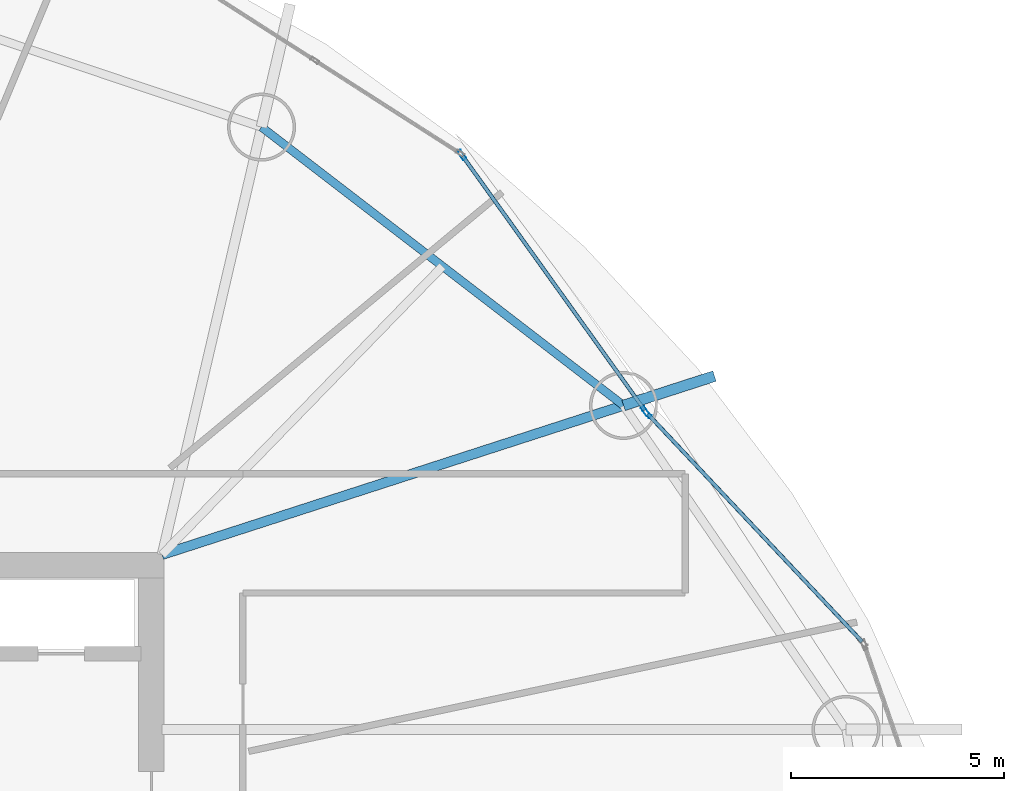
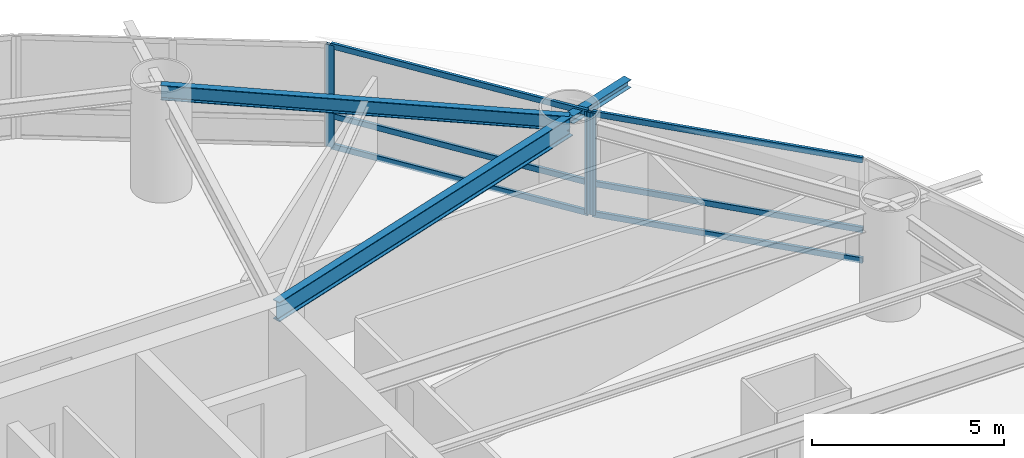
# One storey, part 17 of 27: 9 members, 3 beams, 2 elements without a shape of their own.
"""IFC4 building model written with IfcOpenShell, lengths in metres."""

from ifc_helpers import new_model, si_unit, direction, frame, origin, origin_2d, place, context, subcontext, project, spatial, hollow_rectangle, i_section, extrude, material, layer, layer_set, material_profile, profile_set, type_object, element, aggregate, save


model = new_model("IFC4")

# Units and contexts
model_context = context("Model", 3, precision=1e-05, world=origin(), true_north=direction((0.0, 1.0)))
body_context = subcontext(model_context, "Body", "Model", "MODEL_VIEW")
ifc_project = project(units=[si_unit("LENGTHUNIT", "METRE"), si_unit("AREAUNIT", "SQUARE_METRE"), si_unit("VOLUMEUNIT", "CUBIC_METRE"), si_unit("PLANEANGLEUNIT", "RADIAN"), si_unit("MASSUNIT", "GRAM", prefix="KILO")], contexts=[model_context])

# Site, building, storey
site_placement = place(None, origin())
site = spatial("IfcSite", under=ifc_project, at=site_placement, CompositionType="ELEMENT")
building_placement = place(site_placement, origin())
building = spatial("IfcBuilding", under=site, at=building_placement, Name="Bramvorn Convention Spire", CompositionType="ELEMENT")
storey_placement = place(building_placement, frame((0.0, 0.0, 79.89990234375)))
storey = spatial("IfcBuildingStorey", under=building, at=storey_placement, Name="L18", CompositionType="ELEMENT", Elevation=79.89990234375)

# Beams
ifc_material_1 = material(Name="Steel CSA G40.21 Grade 350 (350W)", Category="steel")
ifc_material_profile_1 = material_profile(ifc_material_1, i_section(OverallWidth=0.25390625, OverallDepth=0.2529296875, WebThickness=0.008544921875, FlangeThickness=0.01416015625, FilletRadius=0.011962890625, at=origin_2d()))
ifc_profile_set_1 = profile_set([ifc_material_profile_1], Name="Steel CSA G40.21 Grade 350 (350W) - W250X73")
beam_type_1 = type_object("IfcBeamType", Name="BM-W250X73", PredefinedType="BEAM", material=ifc_profile_set_1)
beam_1_placement = place(storey_placement, frame((60.105224609375, 36.960205078125, 3.12353515625), z_axis=(0.951489397921, 0.307681532828, 0.0), x_axis=(-0.307681532828, 0.951489397921, 0.0)))
element("IfcBeam", 1, at=beam_1_placement, inside=storey, type_object=beam_type_1, Name="L18 slab-edge cantilever tip beam MC03", PredefinedType="BEAM", context=body_context, shape_type="SweptSolid", body=[
    extrude(i_section(OverallWidth=0.25390625, OverallDepth=0.2529296875, WebThickness=0.008544921875, FlangeThickness=0.01416015625, FilletRadius=0.011962890625, at=origin_2d()), origin(), (0.0, 0.0, 1.0), 2.248779296875),
])
ifc_material_profile_2 = material_profile(ifc_material_1, i_section(OverallWidth=0.194091796875, OverallDepth=0.468994140625, WebThickness=0.0126953125, FlangeThickness=0.0205078125, FilletRadius=0.01806640625, at=origin_2d()))
ifc_profile_set_2 = profile_set([ifc_material_profile_2], Name="Steel CSA G40.21 Grade 350 (350W) - W460X106")
beam_type_2 = type_object("IfcBeamType", Name="BM-W460X106", PredefinedType="SPANDREL", material=ifc_profile_set_2)
beam_2_placement = place(storey_placement, frame((60.105224609375, 36.960205078125, 3.015625), z_axis=(-0.792672990445, 0.609647053809, 0.0), x_axis=(-0.609647053809, -0.792672990445, 0.0)))
element("IfcBeam", 2, at=beam_2_placement, inside=storey, type_object=beam_type_2, Name="L18 mega-column ring beam 03", PredefinedType="SPANDREL", context=body_context, shape_type="SweptSolid", body=[
    extrude(i_section(OverallWidth=0.194091796875, OverallDepth=0.468994140625, WebThickness=0.0126953125, FlangeThickness=0.0205078125, FilletRadius=0.01806640625, at=origin_2d()), origin(), (0.0, 0.0, 1.0), 10.741943359375),
])
ifc_material_profile_3 = material_profile(ifc_material_1, i_section(OverallWidth=0.22998046875, OverallDepth=0.616943359375, WebThickness=0.01318359375, FlangeThickness=0.022216796875, FilletRadius=0.02001953125, at=origin_2d()))
ifc_profile_set_3 = profile_set([ifc_material_profile_3], Name="Steel CSA G40.21 Grade 350 (350W) - W610X140")
beam_type_3 = type_object("IfcBeamType", Name="BM-W610X140", PredefinedType="BEAM", material=ifc_profile_set_3)
beam_3_placement = place(storey_placement, frame((49.25, 33.449951171875, 2.941650390625), z_axis=(0.951488933275, 0.307682969719, 0.0), x_axis=(-0.307682969719, 0.951488933275, 0.0)))
element("IfcBeam", 3, at=beam_3_placement, inside=storey, type_object=beam_type_3, Name="L18 radial floor girder MC03", PredefinedType="BEAM", context=body_context, shape_type="SweptSolid", body=[
    extrude(i_section(OverallWidth=0.22998046875, OverallDepth=0.616943359375, WebThickness=0.01318359375, FlangeThickness=0.022216796875, FilletRadius=0.02001953125, at=origin_2d()), origin(), (0.0, 0.0, 1.0), 11.40869140625),
])

# Curtain wall, member
ifc_material_2 = material(Name="Anodised Bronze Unitised Curtain Wall", Category="aluminium")
ifc_layer = layer(ifc_material_2, 0.219970703125)
ifc_layer_set = layer_set([ifc_layer], Name="Anodised Bronze Unitised Curtain Wall - CW-SKYGARDEN")
curtain_wall_type = type_object("IfcCurtainWallType", Name="CW-SKYGARDEN", PredefinedType="USERDEFINED", material=ifc_layer_set)
curtain_wall_1_placement = place(storey_placement, origin())
curtain_wall_1 = element("IfcCurtainWall", 4, at=curtain_wall_1_placement, inside=storey, type_object=curtain_wall_type, Name="L18 Sky Garden glazed facade 03", ObjectType="WINTER GARDEN GLAZING", PredefinedType="USERDEFINED")
ifc_material_3 = material(Name="Anodised Bronze Aluminium 6063-T6", Category="aluminium")
ifc_material_profile_4 = material_profile(ifc_material_3, hollow_rectangle(XDim=0.090087890625, YDim=0.239990234375, WallThickness=0.00439453125, InnerFilletRadius=0.0009765625, OuterFilletRadius=0.00439453125, at=origin_2d()))
ifc_profile_set_4 = profile_set([ifc_material_profile_4], Name="Anodised Bronze Aluminium 6063-T6 - CWM90X240")
member_type_1 = type_object("IfcMemberType", Name="CW-MUL-220", PredefinedType="MULLION", material=ifc_profile_set_4)
member_1_placement = place(storey_placement, frame((60.656494140625, 36.779541015625, 0.0), z_axis=(0.0, 0.0, 1.0), x_axis=(0.728141435771, 0.68542691041, 0.0)))
member_1 = element("IfcMember", 5, at=member_1_placement, type_object=member_type_1, Name="CW4 mullion 1", PredefinedType="MULLION", context=body_context, shape_type="SweptSolid", body=[
    extrude(hollow_rectangle(XDim=0.090087890625, YDim=0.239990234375, WallThickness=0.00439453125, InnerFilletRadius=0.0009765625, OuterFilletRadius=0.00439453125, at=origin_2d()), origin(), (0.0, 0.0, 1.0), 3.25),
])

# Curtain wall, members
curtain_wall_2_placement = place(storey_placement, origin())
curtain_wall_2 = element("IfcCurtainWall", 6, at=curtain_wall_2_placement, inside=storey, type_object=curtain_wall_type, Name="L18 Sky Garden glazed facade 04", ObjectType="WINTER GARDEN GLAZING", PredefinedType="USERDEFINED")
member_2_placement = place(storey_placement, frame((56.3037109375, 42.85107421875, 0.0), z_axis=(0.0, 0.0, 1.0), x_axis=(0.813023794298, 0.582230461162, 0.0)))
member_2 = element("IfcMember", 7, at=member_2_placement, type_object=member_type_1, Name="CW4 mullion 1", PredefinedType="MULLION", context=body_context, shape_type="SweptSolid", body=[
    extrude(hollow_rectangle(XDim=0.090087890625, YDim=0.239990234375, WallThickness=0.00439453125, InnerFilletRadius=0.0009765625, OuterFilletRadius=0.00439453125, at=origin_2d()), origin(), (0.0, 0.0, 1.0), 3.25),
])
member_3_placement = place(storey_placement, frame((60.61865234375, 36.825927734375, 0.0), z_axis=(0.0, 0.0, 1.0), x_axis=(0.813023794298, 0.582230461162, 0.0)))
member_3 = element("IfcMember", 8, at=member_3_placement, type_object=member_type_1, Name="CW4 mullion 2", PredefinedType="MULLION", context=body_context, shape_type="SweptSolid", body=[
    extrude(hollow_rectangle(XDim=0.090087890625, YDim=0.239990234375, WallThickness=0.00439453125, InnerFilletRadius=0.0009765625, OuterFilletRadius=0.00439453125, at=origin_2d()), origin(), (0.0, 0.0, 1.0), 3.25),
])

# Member
ifc_material_profile_5 = material_profile(ifc_material_3, hollow_rectangle(XDim=0.090087890625, YDim=0.179931640625, WallThickness=0.00439453125, InnerFilletRadius=0.0009765625, OuterFilletRadius=0.00439453125, at=origin_2d()))
ifc_profile_set_5 = profile_set([ifc_material_profile_5], Name="Anodised Bronze Aluminium 6063-T6 - CWT90X180")
member_type_2 = type_object("IfcMemberType", Name="CW-TRN-180", PredefinedType="USERDEFINED", material=ifc_profile_set_5)
member_4_placement = place(storey_placement, frame((60.67724609375, 36.7578125, 0.030029296875), z_axis=(0.685410283526, -0.728157086923, 0.0), x_axis=(0.728157086923, 0.685410283526, 0.0)))
member_4 = element("IfcMember", 9, at=member_4_placement, type_object=member_type_2, Name="CW4 transom 1.1", ObjectType="TRANSOM", PredefinedType="USERDEFINED", context=body_context, shape_type="SweptSolid", body=[
    extrude(hollow_rectangle(XDim=0.090087890625, YDim=0.179931640625, WallThickness=0.00439453125, InnerFilletRadius=0.0009765625, OuterFilletRadius=0.00439453125, at=origin_2d()), origin(), (0.0, 0.0, 1.0), 7.3505859375),
])

member_5_placement = place(storey_placement, frame((60.67724609375, 36.7578125, 1.0), z_axis=(0.685410283526, -0.728157086923, 0.0), x_axis=(0.728157086923, 0.685410283526, 0.0)))
member_5 = element("IfcMember", 10, at=member_5_placement, type_object=member_type_2, Name="CW4 transom 1.2", ObjectType="TRANSOM", PredefinedType="USERDEFINED", context=body_context, shape_type="SweptSolid", body=[
    extrude(hollow_rectangle(XDim=0.090087890625, YDim=0.179931640625, WallThickness=0.00439453125, InnerFilletRadius=0.0009765625, OuterFilletRadius=0.00439453125, at=origin_2d()), origin(), (0.0, 0.0, 1.0), 7.3505859375),
])

member_6_placement = place(storey_placement, frame((60.67724609375, 36.7578125, 3.22021484375), z_axis=(0.685410283526, -0.728157086923, 0.0), x_axis=(0.728157086923, 0.685410283526, 0.0)))
member_6 = element("IfcMember", 11, at=member_6_placement, type_object=member_type_2, Name="CW4 transom 1.3", ObjectType="TRANSOM", PredefinedType="USERDEFINED", context=body_context, shape_type="SweptSolid", body=[
    extrude(hollow_rectangle(XDim=0.090087890625, YDim=0.179931640625, WallThickness=0.00439453125, InnerFilletRadius=0.0009765625, OuterFilletRadius=0.00439453125, at=origin_2d()), origin(), (0.0, 0.0, 1.0), 7.3505859375),
])

aggregate(curtain_wall_1, [member_1, member_4, member_5, member_6])

member_7_placement = place(storey_placement, frame((56.3212890625, 42.82666015625, 0.030029296875), z_axis=(0.582227427499, -0.813025966786, 0.0), x_axis=(0.813025966786, 0.582227427499, 0.0)))
member_7 = element("IfcMember", 12, at=member_7_placement, type_object=member_type_2, Name="CW4 transom 1.1", ObjectType="TRANSOM", PredefinedType="USERDEFINED", context=body_context, shape_type="SweptSolid", body=[
    extrude(hollow_rectangle(XDim=0.090087890625, YDim=0.179931640625, WallThickness=0.00439453125, InnerFilletRadius=0.0009765625, OuterFilletRadius=0.00439453125, at=origin_2d()), origin(), (0.0, 0.0, 1.0), 7.350830078125),
])

member_8_placement = place(storey_placement, frame((56.3212890625, 42.82666015625, 1.0), z_axis=(0.582227427499, -0.813025966786, 0.0), x_axis=(0.813025966786, 0.582227427499, 0.0)))
member_8 = element("IfcMember", 13, at=member_8_placement, type_object=member_type_2, Name="CW4 transom 1.2", ObjectType="TRANSOM", PredefinedType="USERDEFINED", context=body_context, shape_type="SweptSolid", body=[
    extrude(hollow_rectangle(XDim=0.090087890625, YDim=0.179931640625, WallThickness=0.00439453125, InnerFilletRadius=0.0009765625, OuterFilletRadius=0.00439453125, at=origin_2d()), origin(), (0.0, 0.0, 1.0), 7.350830078125),
])

member_9_placement = place(storey_placement, frame((56.3212890625, 42.82666015625, 3.22021484375), z_axis=(0.582227427499, -0.813025966786, 0.0), x_axis=(0.813025966786, 0.582227427499, 0.0)))
member_9 = element("IfcMember", 14, at=member_9_placement, type_object=member_type_2, Name="CW4 transom 1.3", ObjectType="TRANSOM", PredefinedType="USERDEFINED", context=body_context, shape_type="SweptSolid", body=[
    extrude(hollow_rectangle(XDim=0.090087890625, YDim=0.179931640625, WallThickness=0.00439453125, InnerFilletRadius=0.0009765625, OuterFilletRadius=0.00439453125, at=origin_2d()), origin(), (0.0, 0.0, 1.0), 7.350830078125),
])

aggregate(curtain_wall_2, [member_2, member_3, member_7, member_8, member_9])

save(model, "model.ifc")
